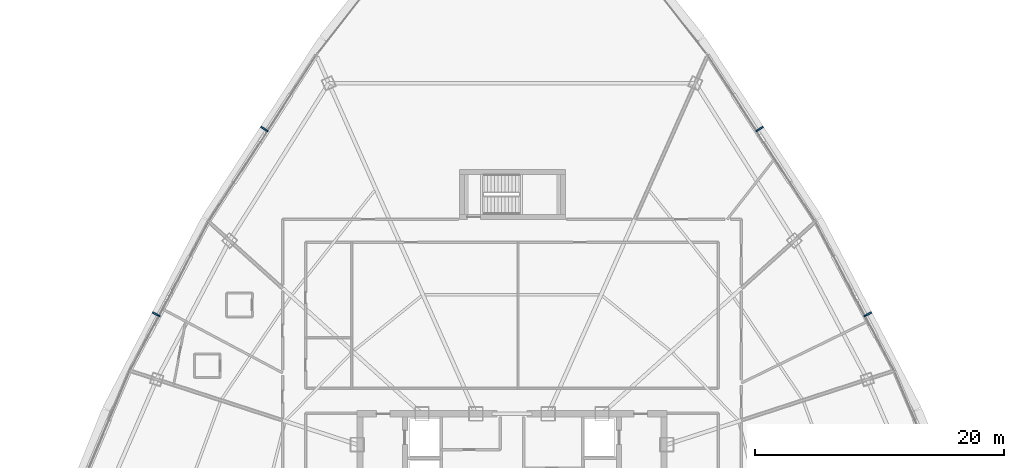
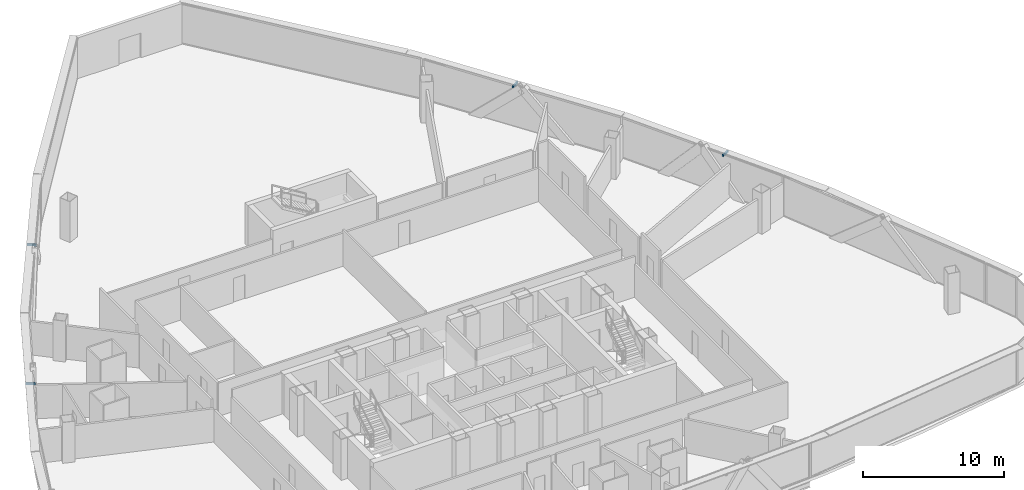
# One storey, part 36 of 40: 4 discrete accessories.
"""IFC4 building model written with IfcOpenShell, lengths in metres."""

from ifc_helpers import new_model, si_unit, direction, frame, origin, origin_2d, place, context, subcontext, project, spatial, rectangle, extrude, source, transform, mapped, material, type_object, element, save


model = new_model("IFC4")

# Units and contexts
model_context = context("Model", 3, precision=1e-05, world=origin(), true_north=direction((0.0, 1.0)))
body_context = subcontext(model_context, "Body", "Model", "MODEL_VIEW")
ifc_project = project(units=[si_unit("LENGTHUNIT", "METRE"), si_unit("AREAUNIT", "SQUARE_METRE"), si_unit("VOLUMEUNIT", "CUBIC_METRE"), si_unit("PLANEANGLEUNIT", "RADIAN"), si_unit("MASSUNIT", "GRAM", prefix="KILO"), si_unit("THERMODYNAMICTEMPERATUREUNIT", "KELVIN"), si_unit("POWERUNIT", "WATT")], contexts=[model_context])

# Site, building, storey
site_placement = place(None, origin())
site = spatial("IfcSite", under=ifc_project, at=site_placement, CompositionType="ELEMENT")
building_placement = place(site_placement, origin())
building = spatial("IfcBuilding", under=site, at=building_placement, Name="Yunzhuo Pagoda Commons", CompositionType="ELEMENT")
storey_placement = place(building_placement, frame((0.0, 0.0, 180.9599609375)))
storey = spatial("IfcBuildingStorey", under=building, at=storey_placement, Name="L45", CompositionType="ELEMENT", Elevation=180.9599609375)

# Discrete accessories
ifc_material = material(Name="Anodized aluminium 6063-T6", Category="aluminium")
discrete_accessory_type = type_object("IfcDiscreteAccessoryType", Name="BK-SUN1 Sunshade Outrigger Bracket", PredefinedType="BRACKET", material=ifc_material)
shared_shape = source(origin(), body_context, "Body", "SweptSolid", [
    extrude(rectangle(XDim=0.1201171875, YDim=0.679931640625, at=origin_2d()), origin(), (0.0, 0.0, 1.0), 0.179931640625),
])
for number, where, z_axis, x_axis, name in (
    (1, (76.5322265625, 48.178466796875, 3.330078125), (0.0, 0.0, 1.0), (-0.461206683033, 0.88729273384, 0.0), "L45 sunshade outrigger bracket F2.2"),
    (2, (67.8564453125, 63.041259765625, 3.330078125), (0.0, 0.0, 1.0), (-0.545838756973, 0.837890238269, 0.0), "L45 sunshade outrigger bracket F2.3"),
    (3, (28.1435546875, 63.041259765625, 3.330078125), (0.0, 0.0, 1.0), (-0.545838756973, -0.837890238269, 0.0), "L45 sunshade outrigger bracket F3.2"),
    (4, (19.4677734375, 48.178466796875, 3.330078125), (0.0, 0.0, 1.0), (-0.461206683033, -0.88729273384, 0.0), "L45 sunshade outrigger bracket F3.3"),
):
    element("IfcDiscreteAccessory", number, at=place(storey_placement, frame(where, z_axis=z_axis, x_axis=x_axis)), inside=storey, type_object=discrete_accessory_type, Name=name, PredefinedType="BRACKET", context=body_context, shape_type="MappedRepresentation", body=[
        mapped(shared_shape, transform((0.0, 0.0, 0.0), scale=1.0)),
    ])

save(model, "model.ifc")
